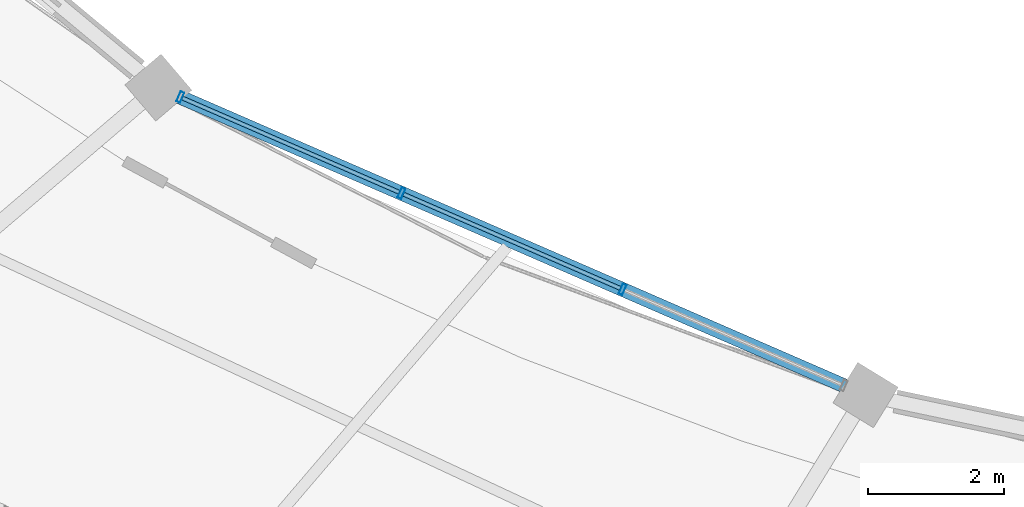
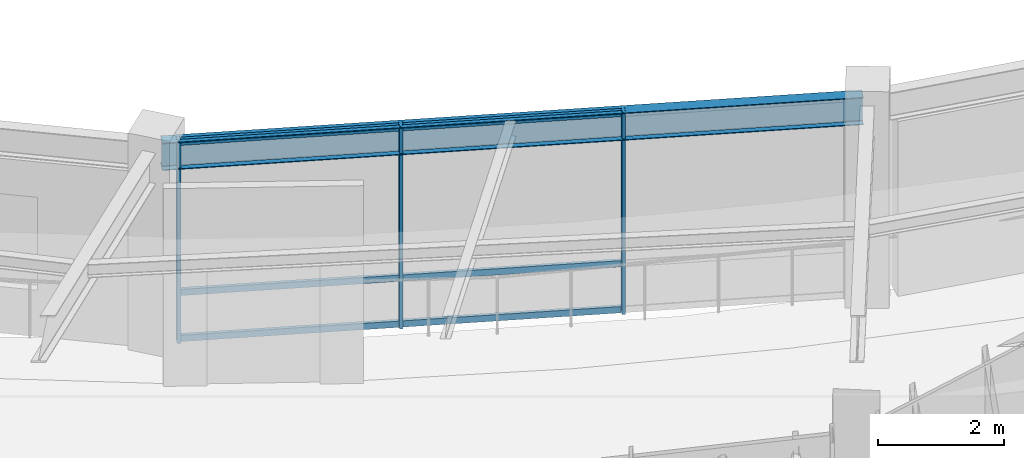
# One storey, part 50 of 152: 9 members, 1 beam, 1 element without a shape of its own.
"""IFC4 building model written with IfcOpenShell, lengths in metres."""

import ifcopenshell
import ifcopenshell.guid

model = None  # the IFC model being written
_history = None  # IfcOwnerHistory: only IFC2X3 demands one
_inside = {}  # id of a spatial element -> (the spatial element, [elements in it])
_under = {}  # id of a project, library or spatial element -> (it, [spatial elements below it])
_declared = {}  # id of a project -> (the project, [libraries it declares])
_typed = {}  # id of a type object -> (the type object, [elements of that type])
_made_of = {}  # id of a material, layer set ... -> (it, [elements and type objects made of it])


def new_model(schema):
    """Start an empty IFC model of exactly this schema.

    Asked for "IFC4X3", IfcOpenShell would pick the latest addendum, in which some entities
    have other attributes; the version numbers below select the first issue.
    IFC2X3 requires an IfcOwnerHistory on every rooted entity: one is made here for all.
    """
    global model, _history
    if schema == "IFC4X3":
        model = ifcopenshell.file(schema_version=(4, 3, 0, 0))
    else:
        model = ifcopenshell.file(schema=schema)
    _inside.clear()
    _under.clear()
    _declared.clear()
    _typed.clear()
    _made_of.clear()
    _history = None
    if model.schema == "IFC2X3":
        org = make("IfcOrganization", Name="unknown")
        user = make(
            "IfcPersonAndOrganization",
            ThePerson=make("IfcPerson", FamilyName="unknown"),
            TheOrganization=org,
        )
        app = make(
            "IfcApplication",
            ApplicationDeveloper=org,
            Version="unknown",
            ApplicationFullName="unknown",
            ApplicationIdentifier="unknown",
        )
        _history = make(
            "IfcOwnerHistory",
            OwningUser=user,
            OwningApplication=app,
            ChangeAction="ADDED",
            CreationDate=0,
        )
    return model


def make(cls, **values):
    """One entity of the class cls with the attributes given. An attribute that is None is left unset."""
    return model.create_entity(
        cls, **{name: value for name, value in values.items() if value is not None}
    )


def rooted(cls, **values):
    """An entity with a GlobalId (a new one), such as an element, a storey or a relation."""
    return make(cls, GlobalId=ifcopenshell.guid.new(), OwnerHistory=_history, **values)


def si_unit(unit_type, name, prefix=None):
    """IfcSIUnit, for example si_unit("LENGTHUNIT", "METRE", prefix="MILLI")."""
    return make("IfcSIUnit", UnitType=unit_type, Prefix=prefix, Name=name)


def assignment(units):
    """IfcUnitAssignment: the units of a project."""
    return None if units is None else make("IfcUnitAssignment", Units=units)


def point(xyz):
    """IfcCartesianPoint."""
    return None if xyz is None else make("IfcCartesianPoint", Coordinates=xyz)


def direction(xyz):
    """IfcDirection."""
    return None if xyz is None else make("IfcDirection", DirectionRatios=xyz)


def frame(location, z_axis=None, x_axis=None):
    """IfcAxis2Placement3D, a coordinate frame: its origin and axes. An axis left out is left unset."""
    return make(
        "IfcAxis2Placement3D",
        Location=point(location),
        Axis=direction(z_axis),
        RefDirection=direction(x_axis),
    )


def frame_2d(location, x_axis=None):
    """IfcAxis2Placement2D, a coordinate frame in the plane: its origin and x axis."""
    return make(
        "IfcAxis2Placement2D", Location=point(location), RefDirection=direction(x_axis)
    )


def origin():
    """The frame at (0, 0, 0) with its axes left unset."""
    return frame((0.0, 0.0, 0.0))


def origin_2d():
    """The frame at (0, 0) in the plane with its x axis left unset."""
    return frame_2d((0.0, 0.0))


def place(relative_to, where):
    """IfcLocalPlacement: puts the frame where relative to a parent placement (None: the world)."""
    return make(
        "IfcLocalPlacement", PlacementRelTo=relative_to, RelativePlacement=where
    )


def context(
    kind, dimensions, precision=None, world=None, true_north=None, identifier=None
):
    """IfcGeometricRepresentationContext, for example the 3D "Model" context."""
    return make(
        "IfcGeometricRepresentationContext",
        ContextIdentifier=identifier,
        ContextType=kind,
        CoordinateSpaceDimension=dimensions,
        Precision=precision,
        WorldCoordinateSystem=world,
        TrueNorth=true_north,
    )


def subcontext(parent, identifier, kind, view, scale=None):
    """IfcGeometricRepresentationSubContext, for example "Body" below "Model"."""
    return make(
        "IfcGeometricRepresentationSubContext",
        ContextIdentifier=identifier,
        ContextType=kind,
        ParentContext=parent,
        TargetScale=scale,
        TargetView=view,
    )


def project(units=None, contexts=None):
    """IfcProject with its units and contexts."""
    return rooted(
        "IfcProject",
        Name="project",
        RepresentationContexts=contexts,
        UnitsInContext=assignment(units),
    )


def spatial(cls, under=None, at=None, **own):
    """A site, building, storey or space (cls), placed at a placement, below another one or the project."""
    s = rooted(cls, ObjectPlacement=at, **own)
    if under is not None:
        _under.setdefault(under.id(), (under, []))[1].append(s)
    return s


def profile(cls, at=None, kind="AREA", **sizes):
    """A parametric profile (cls). Its sizes go by their IFC names, for example OverallWidth=200.0."""
    return make(cls, ProfileType=kind, Position=at, **sizes)


def hollow_rectangle(**sizes):
    """IfcRectangleHollowProfileDef."""
    return profile("IfcRectangleHollowProfileDef", **sizes)


def i_section(**sizes):
    """IfcIShapeProfileDef."""
    return profile("IfcIShapeProfileDef", **sizes)


def extrude(swept, where, along, depth):
    """IfcExtrudedAreaSolid: the profile swept, set in the frame where, extruded along a direction by depth."""
    return make(
        "IfcExtrudedAreaSolid",
        SweptArea=swept,
        Position=where,
        ExtrudedDirection=direction(along),
        Depth=depth,
    )


def shape(context_of_items, identifier, shape_type, items):
    """IfcShapeRepresentation: the items that make up one representation, for example the "Body"."""
    return make(
        "IfcShapeRepresentation",
        ContextOfItems=context_of_items,
        RepresentationIdentifier=identifier,
        RepresentationType=shape_type,
        Items=items,
    )


def material(Name=None, Category=None):
    """IfcMaterial."""
    return make("IfcMaterial", Name=Name, Category=Category)


def material_profile(
    of_material, cross_section, Name=None, Category=None, Priority=None
):
    """IfcMaterialProfile: a cross section and its material."""
    return make(
        "IfcMaterialProfile",
        Name=Name,
        Material=of_material,
        Profile=cross_section,
        Priority=Priority,
        Category=Category,
    )


def profile_set(profiles, Name=None, composite=None):
    """IfcMaterialProfileSet."""
    return make(
        "IfcMaterialProfileSet",
        Name=Name,
        MaterialProfiles=profiles,
        CompositeProfile=composite,
    )


def made_of(thing, what):
    """Note that an element or type object is made of a material, layer set ...; save() writes the relation."""
    if what is not None:
        _made_of.setdefault(what.id(), (what, []))[1].append(thing)
    return thing


def type_object(cls, material=None, **own):
    """A type object (cls), such as IfcWallType, which elements share."""
    return made_of(rooted(cls, **own), material)


def element(
    cls,
    number,
    at=None,
    inside=None,
    cuts=None,
    type_object=None,
    material=None,
    context=None,
    identifier="Body",
    shape_type=None,
    held_by="IfcProductDefinitionShape",
    body=None,
    shapes=None,
    **own,
):
    """One element of the class cls, such as IfcWall. Its Tag is "e" and its number.

    at: its placement. inside: the storey or other place that contains it. cuts: it is an
    opening in that element (IfcRelVoidsElement). A single representation is given by context,
    identifier, shape_type and body (its items); several are given by shapes. held_by: the class
    of the entity that holds the representations. save() writes the other relations.
    """
    e = rooted(cls, Tag="e%d" % number, ObjectPlacement=at, **own)
    if body is not None:
        shapes = [shape(context, identifier, shape_type, body)]
    if shapes is not None:
        e.Representation = make(held_by, Representations=shapes)
    if inside is not None:
        _inside.setdefault(inside.id(), (inside, []))[1].append(e)
    if cuts is not None:
        rooted(
            "IfcRelVoidsElement", RelatingBuildingElement=cuts, RelatedOpeningElement=e
        )
    if type_object is not None:
        _typed.setdefault(type_object.id(), (type_object, []))[1].append(e)
    return made_of(e, material)


def aggregate(whole, parts):
    """IfcRelAggregates: a whole, such as a stair, and the parts it consists of."""
    return rooted("IfcRelAggregates", RelatingObject=whole, RelatedObjects=parts)


def save(model, path):
    """Write the relations noted so far, then the file.

    IfcRelAggregates (storeys below a building ...), IfcRelContainedInSpatialStructure (elements
    in a storey), IfcRelDefinesByType, IfcRelAssociatesMaterial and IfcRelDeclares: one each for
    every whole, place, type object, material and project.
    """
    for whole, parts in _under.values():
        aggregate(whole, parts)
    for where, things in _inside.values():
        rooted(
            "IfcRelContainedInSpatialStructure",
            RelatedElements=things,
            RelatingStructure=where,
        )
    for kind, things in _typed.values():
        rooted("IfcRelDefinesByType", RelatedObjects=things, RelatingType=kind)
    for what, things in _made_of.values():
        rooted("IfcRelAssociatesMaterial", RelatedObjects=things, RelatingMaterial=what)
    for by, libraries in _declared.values():
        rooted("IfcRelDeclares", RelatingContext=by, RelatedDefinitions=libraries)
    model.write(path)


model = new_model("IFC4")

# Units and contexts
model_context = context("Model", 3, precision=1e-05, world=origin(), true_north=direction((0.0, 1.0)))
body_context = subcontext(model_context, "Body", "Model", "MODEL_VIEW")
ifc_project = project(units=[si_unit("LENGTHUNIT", "METRE"), si_unit("AREAUNIT", "SQUARE_METRE"), si_unit("VOLUMEUNIT", "CUBIC_METRE"), si_unit("PLANEANGLEUNIT", "RADIAN"), si_unit("MASSUNIT", "GRAM", prefix="KILO"), si_unit("THERMODYNAMICTEMPERATUREUNIT", "KELVIN"), si_unit("POWERUNIT", "WATT")], contexts=[model_context])

# Site, building, storey
site_placement = place(None, origin())
site = spatial("IfcSite", under=ifc_project, at=site_placement, CompositionType="ELEMENT")
building_placement = place(site_placement, origin())
building = spatial("IfcBuilding", under=site, at=building_placement, Name="Darbajah Civic Hall", CompositionType="ELEMENT")
storey_placement = place(building_placement, frame((0.0, 0.0, 5.39990234375)))
storey = spatial("IfcBuildingStorey", under=building, at=storey_placement, Name="L01", CompositionType="ELEMENT", Elevation=5.39990234375)

# Curtain wall, members
ifc_material_1 = material(Name="Anodised Bronze Aluminium and Low-E Glazing", Category="aluminium")
curtain_wall_type = type_object("IfcCurtainWallType", Name="Unitised Curtain Wall CW-19 10700x3900", PredefinedType="USERDEFINED", material=ifc_material_1)
curtain_wall_placement = place(storey_placement, origin())
curtain_wall = element("IfcCurtainWall", 1, at=curtain_wall_placement, inside=storey, type_object=curtain_wall_type, Name="L01 unitised curtain wall CW-V1I-L01-12", ObjectType="UNITISED CURTAIN WALL", PredefinedType="USERDEFINED")
ifc_material_2 = material(Name="Anodised Bronze Aluminium", Category="aluminium")
ifc_material_profile_1 = material_profile(ifc_material_2, hollow_rectangle(XDim=0.06005859375, YDim=0.159912109375, WallThickness=0.00341796875, at=origin_2d()), Name="ALU MULLION 60x160")
ifc_profile_set_1 = profile_set([ifc_material_profile_1], Name="Anodised Bronze Aluminium")
member_type_1 = type_object("IfcMemberType", Name="ALU MULLION 60x160", PredefinedType="MULLION", material=ifc_profile_set_1)
member_1_placement = place(storey_placement, frame((56.116943359375, 75.177001953125, 0.0), z_axis=(0.0, 0.0, 1.0), x_axis=(0.917060074385, -0.398749068925, 0.0)))
member_1 = element("IfcMember", 2, at=member_1_placement, type_object=member_type_1, Name="CW-V1I-L01-12 mullion 1", PredefinedType="MULLION", context=body_context, shape_type="SweptSolid", body=[
    extrude(hollow_rectangle(XDim=0.06005859375, YDim=0.159912109375, WallThickness=0.00341796875, at=origin_2d()), origin(), (0.0, 0.0, 1.0), 3.920166015625),
])
member_2_placement = place(storey_placement, frame((59.375244140625, 73.760009765625, 0.0), z_axis=(0.0, 0.0, 1.0), x_axis=(0.917060074385, -0.398749068925, 0.0)))
member_2 = element("IfcMember", 3, at=member_2_placement, type_object=member_type_1, Name="CW-V1I-L01-12 mullion 2", PredefinedType="MULLION", context=body_context, shape_type="SweptSolid", body=[
    extrude(hollow_rectangle(XDim=0.06005859375, YDim=0.159912109375, WallThickness=0.00341796875, at=origin_2d()), origin(), (0.0, 0.0, 1.0), 3.920166015625),
])
member_3_placement = place(storey_placement, frame((62.633544921875, 72.34326171875, 0.0), z_axis=(0.0, 0.0, 1.0), x_axis=(0.917060074385, -0.398749068925, 0.0)))
member_3 = element("IfcMember", 4, at=member_3_placement, type_object=member_type_1, Name="CW-V1I-L01-12 mullion 3", PredefinedType="MULLION", context=body_context, shape_type="SweptSolid", body=[
    extrude(hollow_rectangle(XDim=0.06005859375, YDim=0.159912109375, WallThickness=0.00341796875, at=origin_2d()), origin(), (0.0, 0.0, 1.0), 3.920166015625),
])
ifc_material_profile_2 = material_profile(ifc_material_2, hollow_rectangle(XDim=0.06005859375, YDim=0.1201171875, WallThickness=0.003173828125, at=origin_2d()), Name="ALU TRANSOM 60x120")
ifc_profile_set_2 = profile_set([ifc_material_profile_2], Name="Anodised Bronze Aluminium")
member_type_2 = type_object("IfcMemberType", Name="ALU TRANSOM 60x120", PredefinedType="USERDEFINED", material=ifc_profile_set_2)
member_4_placement = place(storey_placement, frame((56.149169921875, 75.162841796875, 0.06005859375), z_axis=(0.917076742626, -0.398710732405, 0.0), x_axis=(0.398710732405, 0.917076742626, 0.0)))
member_4 = element("IfcMember", 5, at=member_4_placement, type_object=member_type_2, Name="CW-V1I-L01-12 transom 1.1", ObjectType="TRANSOM", PredefinedType="USERDEFINED", context=body_context, shape_type="SweptSolid", body=[
    extrude(hollow_rectangle(XDim=0.06005859375, YDim=0.1201171875, WallThickness=0.003173828125, at=origin_2d()), origin(), (0.0, 0.0, 1.0), 3.48291015625),
])
member_5_placement = place(storey_placement, frame((56.149169921875, 75.162841796875, 0.9501953125), z_axis=(0.917076742626, -0.398710732405, 0.0), x_axis=(0.398710732405, 0.917076742626, 0.0)))
member_5 = element("IfcMember", 6, at=member_5_placement, type_object=member_type_2, Name="CW-V1I-L01-12 transom 1.2", ObjectType="TRANSOM", PredefinedType="USERDEFINED", context=body_context, shape_type="SweptSolid", body=[
    extrude(hollow_rectangle(XDim=0.06005859375, YDim=0.1201171875, WallThickness=0.003173828125, at=origin_2d()), origin(), (0.0, 0.0, 1.0), 3.48291015625),
])
member_6_placement = place(storey_placement, frame((56.149169921875, 75.162841796875, 3.860107421875), z_axis=(0.917076742626, -0.398710732405, 0.0), x_axis=(0.398710732405, 0.917076742626, 0.0)))
member_6 = element("IfcMember", 7, at=member_6_placement, type_object=member_type_2, Name="CW-V1I-L01-12 transom 1.3", ObjectType="TRANSOM", PredefinedType="USERDEFINED", context=body_context, shape_type="SweptSolid", body=[
    extrude(hollow_rectangle(XDim=0.06005859375, YDim=0.1201171875, WallThickness=0.003173828125, at=origin_2d()), origin(), (0.0, 0.0, 1.0), 3.48291015625),
])
member_7_placement = place(storey_placement, frame((59.407470703125, 73.74609375, 0.06005859375), z_axis=(0.917065598242, -0.398736364684, 0.0), x_axis=(0.398736364684, 0.917065598242, 0.0)))
member_7 = element("IfcMember", 8, at=member_7_placement, type_object=member_type_2, Name="CW-V1I-L01-12 transom 2.1", ObjectType="TRANSOM", PredefinedType="USERDEFINED", context=body_context, shape_type="SweptSolid", body=[
    extrude(hollow_rectangle(XDim=0.06005859375, YDim=0.1201171875, WallThickness=0.003173828125, at=origin_2d()), origin(), (0.0, 0.0, 1.0), 3.482666015625),
])
member_8_placement = place(storey_placement, frame((59.407470703125, 73.74609375, 0.9501953125), z_axis=(0.917065598242, -0.398736364684, 0.0), x_axis=(0.398736364684, 0.917065598242, 0.0)))
member_8 = element("IfcMember", 9, at=member_8_placement, type_object=member_type_2, Name="CW-V1I-L01-12 transom 2.2", ObjectType="TRANSOM", PredefinedType="USERDEFINED", context=body_context, shape_type="SweptSolid", body=[
    extrude(hollow_rectangle(XDim=0.06005859375, YDim=0.1201171875, WallThickness=0.003173828125, at=origin_2d()), origin(), (0.0, 0.0, 1.0), 3.482666015625),
])
member_9_placement = place(storey_placement, frame((59.407470703125, 73.74609375, 3.860107421875), z_axis=(0.917065598242, -0.398736364684, 0.0), x_axis=(0.398736364684, 0.917065598242, 0.0)))
member_9 = element("IfcMember", 10, at=member_9_placement, type_object=member_type_2, Name="CW-V1I-L01-12 transom 2.3", ObjectType="TRANSOM", PredefinedType="USERDEFINED", context=body_context, shape_type="SweptSolid", body=[
    extrude(hollow_rectangle(XDim=0.06005859375, YDim=0.1201171875, WallThickness=0.003173828125, at=origin_2d()), origin(), (0.0, 0.0, 1.0), 3.482666015625),
])
aggregate(curtain_wall, [member_1, member_2, member_3, member_4, member_5, member_6, member_7, member_8, member_9])

# Beam
ifc_material_3 = material(Name="Steel S355JR", Category="steel")
ifc_material_profile_3 = material_profile(ifc_material_3, i_section(OverallWidth=0.209228515625, OverallDepth=0.533203125, WebThickness=0.010009765625, FlangeThickness=0.015625, FilletRadius=0.0126953125, at=origin_2d()), Name="UB 533x210x92")
ifc_profile_set_3 = profile_set([ifc_material_profile_3], Name="Steel S355JR")
beam_type = type_object("IfcBeamType", Name="UB 533x210x92", PredefinedType="BEAM", material=ifc_profile_set_3)
beam_placement = place(storey_placement, frame((55.86767578125, 75.285400390625, 3.653564453125), z_axis=(0.917051345793, -0.398769142712, 0.0), x_axis=(0.398769142712, 0.917051345793, 0.0)))
element("IfcBeam", 11, at=beam_placement, inside=storey, type_object=beam_type, Name="L01 beam SB-533", PredefinedType="BEAM", context=body_context, shape_type="SweptSolid", body=[
    extrude(i_section(OverallWidth=0.209228515625, OverallDepth=0.533203125, WebThickness=0.010009765625, FlangeThickness=0.015625, FilletRadius=0.0126953125, at=origin_2d()), origin(), (0.0, 0.0, 1.0), 11.20263671875),
])

save(model, "model.ifc")
